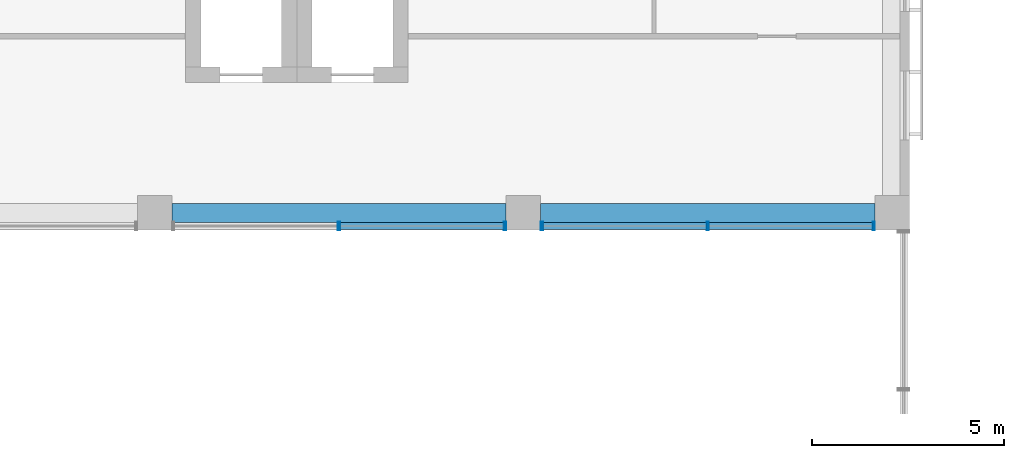
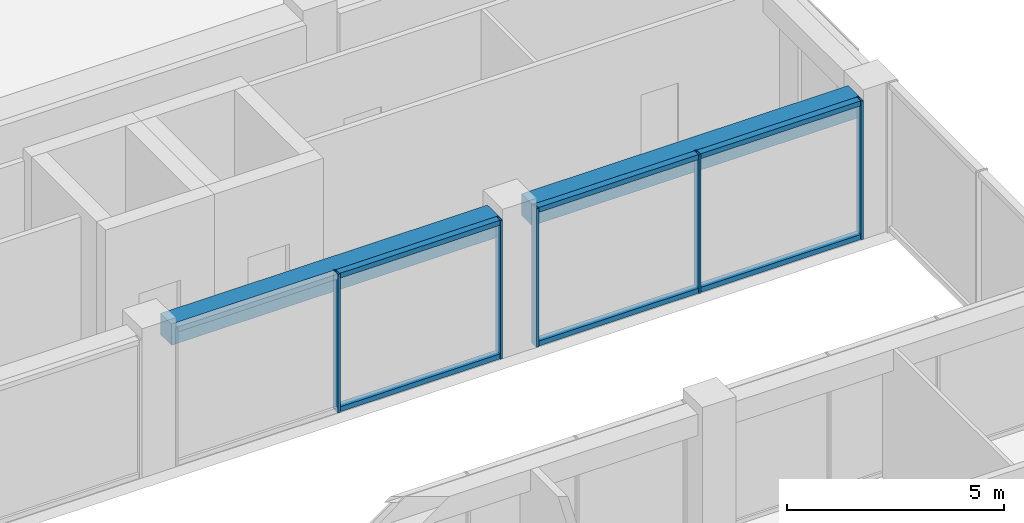
# One storey, part 18 of 36: 11 members, 2 beams, 2 elements without a shape of their own.
"""IFC4 building model written with IfcOpenShell, lengths in metres."""

from ifc_helpers import new_model, si_unit, direction, frame, origin, origin_2d, place, context, subcontext, project, spatial, rectangle, hollow_rectangle, extrude, material, layer, layer_set, material_profile, profile_set, type_object, element, aggregate, save


model = new_model("IFC4")

# Units and contexts
model_context = context("Model", 3, precision=1e-05, world=origin(), true_north=direction((0.0, 1.0)))
body_context = subcontext(model_context, "Body", "Model", "MODEL_VIEW")
ifc_project = project(units=[si_unit("LENGTHUNIT", "METRE"), si_unit("AREAUNIT", "SQUARE_METRE"), si_unit("VOLUMEUNIT", "CUBIC_METRE"), si_unit("PLANEANGLEUNIT", "RADIAN"), si_unit("MASSUNIT", "GRAM", prefix="KILO")], contexts=[model_context])

# Site, building, storey
site_placement = place(None, origin())
site = spatial("IfcSite", under=ifc_project, at=site_placement, CompositionType="ELEMENT")
building_placement = place(site_placement, origin())
building = spatial("IfcBuilding", under=site, at=building_placement, Name="Nzadi Deep Aquarium and Research Tower", CompositionType="ELEMENT")
storey_placement = place(building_placement, frame((0.0, 0.0, 44.5)))
storey = spatial("IfcBuildingStorey", under=building, at=storey_placement, Name="L08", CompositionType="ELEMENT", Elevation=44.5)

# Curtain wall, members
ifc_material_1 = material(Name="Aluminium unitised frame deep", Category="aluminium")
ifc_layer = layer(ifc_material_1, 0.22509765625)
ifc_layer_set = layer_set([ifc_layer], Name="Aluminium unitised frame deep")
curtain_wall_type = type_object("IfcCurtainWallType", Name="Curtain wall Unitised Deep 225", PredefinedType="NOTDEFINED", material=ifc_layer_set)
curtain_wall_1_placement = place(storey_placement, origin())
curtain_wall_1 = element("IfcCurtainWall", 1, at=curtain_wall_1_placement, inside=storey, type_object=curtain_wall_type, Name="Unitised curtain wall blade B south L08", PredefinedType="NOTDEFINED")
ifc_material_2 = material(Name="Aluminium unitised frame deep", Category="aluminium")
ifc_material_profile_1 = material_profile(ifc_material_2, hollow_rectangle(XDim=0.22509765625, YDim=0.06005859375, WallThickness=0.0048828125, at=origin_2d()))
ifc_profile_set_1 = profile_set([ifc_material_profile_1], Name="Aluminium unitised frame deep")
member_type_1 = type_object("IfcMemberType", Name="Mullion 60x225 Unitised Deep", PredefinedType="MULLION", material=ifc_profile_set_1)
member_1_placement = place(storey_placement, frame((33.60009765625, 27.262451171875, 0.0), z_axis=(0.0, 0.0, 1.0), x_axis=(0.0, 1.0, 0.0)))
member_1 = element("IfcMember", 2, at=member_1_placement, type_object=member_type_1, Name="CW111 mullion 2", PredefinedType="MULLION", context=body_context, shape_type="SweptSolid", body=[
    extrude(hollow_rectangle(XDim=0.22509765625, YDim=0.06005859375, WallThickness=0.0048828125, at=origin_2d()), origin(), (0.0, 0.0, 1.0), 3.89990234375),
])
member_2_placement = place(storey_placement, frame((37.919921875, 27.262451171875, 0.0), z_axis=(0.0, 0.0, 1.0), x_axis=(0.0, 1.0, 0.0)))
member_2 = element("IfcMember", 3, at=member_2_placement, type_object=member_type_1, Name="CW111 mullion 3", PredefinedType="MULLION", context=body_context, shape_type="SweptSolid", body=[
    extrude(hollow_rectangle(XDim=0.22509765625, YDim=0.06005859375, WallThickness=0.0048828125, at=origin_2d()), origin(), (0.0, 0.0, 1.0), 3.89990234375),
])

curtain_wall_2_placement = place(storey_placement, origin())
curtain_wall_2 = element("IfcCurtainWall", 4, at=curtain_wall_2_placement, inside=storey, type_object=curtain_wall_type, Name="Unitised curtain wall blade B south L08", PredefinedType="NOTDEFINED")
member_3_placement = place(storey_placement, frame((38.8798828125, 27.262451171875, 0.0), z_axis=(0.0, 0.0, 1.0), x_axis=(0.0, 1.0, 0.0)))
member_3 = element("IfcMember", 5, at=member_3_placement, type_object=member_type_1, Name="CW112 mullion 1", PredefinedType="MULLION", context=body_context, shape_type="SweptSolid", body=[
    extrude(hollow_rectangle(XDim=0.22509765625, YDim=0.06005859375, WallThickness=0.0048828125, at=origin_2d()), origin(), (0.0, 0.0, 1.0), 3.89990234375),
])
member_4_placement = place(storey_placement, frame((43.199951171875, 27.262451171875, 0.0), z_axis=(0.0, 0.0, 1.0), x_axis=(0.0, 1.0, 0.0)))
member_4 = element("IfcMember", 6, at=member_4_placement, type_object=member_type_1, Name="CW112 mullion 2", PredefinedType="MULLION", context=body_context, shape_type="SweptSolid", body=[
    extrude(hollow_rectangle(XDim=0.22509765625, YDim=0.06005859375, WallThickness=0.0048828125, at=origin_2d()), origin(), (0.0, 0.0, 1.0), 3.89990234375),
])
member_5_placement = place(storey_placement, frame((47.52001953125, 27.262451171875, 0.0), z_axis=(0.0, 0.0, 1.0), x_axis=(0.0, 1.0, 0.0)))
member_5 = element("IfcMember", 7, at=member_5_placement, type_object=member_type_1, Name="CW112 mullion 3", PredefinedType="MULLION", context=body_context, shape_type="SweptSolid", body=[
    extrude(hollow_rectangle(XDim=0.22509765625, YDim=0.06005859375, WallThickness=0.0048828125, at=origin_2d()), origin(), (0.0, 0.0, 1.0), 3.89990234375),
])

# Beams
ifc_material_3 = material(Name="Concrete C35/45", Category="concrete")
ifc_material_profile_2 = material_profile(ifc_material_3, rectangle(XDim=0.5, YDim=0.60009765625, at=origin_2d()))
ifc_profile_set_2 = profile_set([ifc_material_profile_2], Name="Concrete C35/45")
beam_type = type_object("IfcBeamType", Name="RC 500x600", PredefinedType="BEAM", material=ifc_profile_set_2)
for number, where, z_axis, x_axis, name in (
    (8, (29.25, 27.60009765625, 3.60009765625), (1.0, 0.0, 0.0), (0.0, 1.0, 0.0), "B-Z1-L08-L4-4"),
    (9, (38.85009765625, 27.60009765625, 3.60009765625), (1.0, 0.0, 0.0), (0.0, 1.0, 0.0), "B-Z1-L08-L4-5"),
):
    element("IfcBeam", number, at=place(storey_placement, frame(where, z_axis=z_axis, x_axis=x_axis)), inside=storey, type_object=beam_type, Name=name, PredefinedType="BEAM", context=body_context, shape_type="SweptSolid", body=[
        extrude(rectangle(XDim=0.5, YDim=0.60009765625, at=origin_2d()), origin(), (0.0, 0.0, 1.0), 8.699951171875),
    ])

# Member
ifc_material_4 = material(Name="Aluminium unitised frame deep", Category="aluminium")
ifc_material_profile_3 = material_profile(ifc_material_4, hollow_rectangle(XDim=0.179931640625, YDim=0.139892578125, WallThickness=0.0048828125, at=origin_2d()))
ifc_profile_set_3 = profile_set([ifc_material_profile_3], Name="Aluminium unitised frame deep")
member_type_2 = type_object("IfcMemberType", Name="Transom 140x180 Unitised Deep", PredefinedType="MULLION", material=ifc_profile_set_3)
member_6_placement = place(storey_placement, frame((33.6298828125, 27.262451171875, 0.070068359375), z_axis=(1.0, 0.0, 0.0), x_axis=(0.0, 1.0, 0.0)))
member_6 = element("IfcMember", 10, at=member_6_placement, type_object=member_type_2, Name="CW111 transom 2.1", PredefinedType="MULLION", context=body_context, shape_type="SweptSolid", body=[
    extrude(hollow_rectangle(XDim=0.179931640625, YDim=0.139892578125, WallThickness=0.0048828125, at=origin_2d()), origin(), (0.0, 0.0, 1.0), 4.260009765625),
])

member_7_placement = place(storey_placement, frame((33.6298828125, 27.262451171875, 3.830078125), z_axis=(1.0, 0.0, 0.0), x_axis=(0.0, 1.0, 0.0)))
member_7 = element("IfcMember", 11, at=member_7_placement, type_object=member_type_2, Name="CW111 transom 2.2", PredefinedType="MULLION", context=body_context, shape_type="SweptSolid", body=[
    extrude(hollow_rectangle(XDim=0.179931640625, YDim=0.139892578125, WallThickness=0.0048828125, at=origin_2d()), origin(), (0.0, 0.0, 1.0), 4.260009765625),
])

aggregate(curtain_wall_1, [member_1, member_2, member_6, member_7])

member_8_placement = place(storey_placement, frame((38.909912109375, 27.262451171875, 0.070068359375), z_axis=(1.0, 0.0, 0.0), x_axis=(0.0, 1.0, 0.0)))
member_8 = element("IfcMember", 12, at=member_8_placement, type_object=member_type_2, Name="CW112 transom 1.1", PredefinedType="MULLION", context=body_context, shape_type="SweptSolid", body=[
    extrude(hollow_rectangle(XDim=0.179931640625, YDim=0.139892578125, WallThickness=0.0048828125, at=origin_2d()), origin(), (0.0, 0.0, 1.0), 4.260009765625),
])

member_9_placement = place(storey_placement, frame((38.909912109375, 27.262451171875, 3.830078125), z_axis=(1.0, 0.0, 0.0), x_axis=(0.0, 1.0, 0.0)))
member_9 = element("IfcMember", 13, at=member_9_placement, type_object=member_type_2, Name="CW112 transom 1.2", PredefinedType="MULLION", context=body_context, shape_type="SweptSolid", body=[
    extrude(hollow_rectangle(XDim=0.179931640625, YDim=0.139892578125, WallThickness=0.0048828125, at=origin_2d()), origin(), (0.0, 0.0, 1.0), 4.260009765625),
])

member_10_placement = place(storey_placement, frame((43.22998046875, 27.262451171875, 0.070068359375), z_axis=(1.0, 0.0, 0.0), x_axis=(0.0, 1.0, 0.0)))
member_10 = element("IfcMember", 14, at=member_10_placement, type_object=member_type_2, Name="CW112 transom 2.1", PredefinedType="MULLION", context=body_context, shape_type="SweptSolid", body=[
    extrude(hollow_rectangle(XDim=0.179931640625, YDim=0.139892578125, WallThickness=0.0048828125, at=origin_2d()), origin(), (0.0, 0.0, 1.0), 4.260009765625),
])

member_11_placement = place(storey_placement, frame((43.22998046875, 27.262451171875, 3.830078125), z_axis=(1.0, 0.0, 0.0), x_axis=(0.0, 1.0, 0.0)))
member_11 = element("IfcMember", 15, at=member_11_placement, type_object=member_type_2, Name="CW112 transom 2.2", PredefinedType="MULLION", context=body_context, shape_type="SweptSolid", body=[
    extrude(hollow_rectangle(XDim=0.179931640625, YDim=0.139892578125, WallThickness=0.0048828125, at=origin_2d()), origin(), (0.0, 0.0, 1.0), 4.260009765625),
])

aggregate(curtain_wall_2, [member_3, member_4, member_5, member_8, member_9, member_10, member_11])

save(model, "model.ifc")
